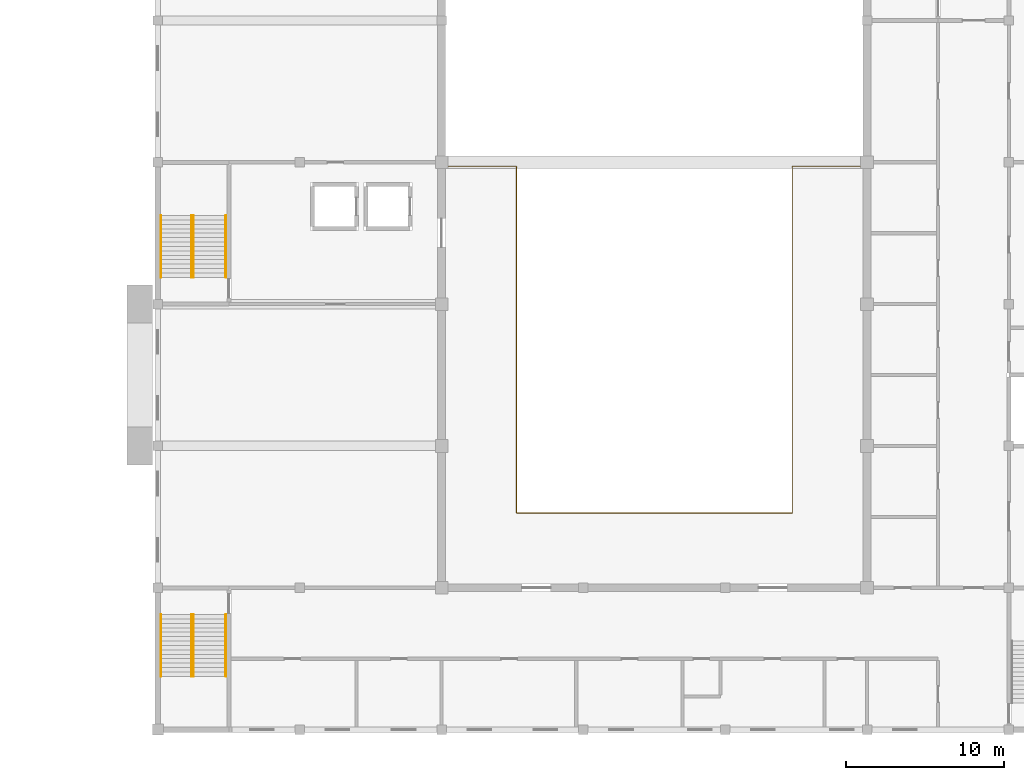
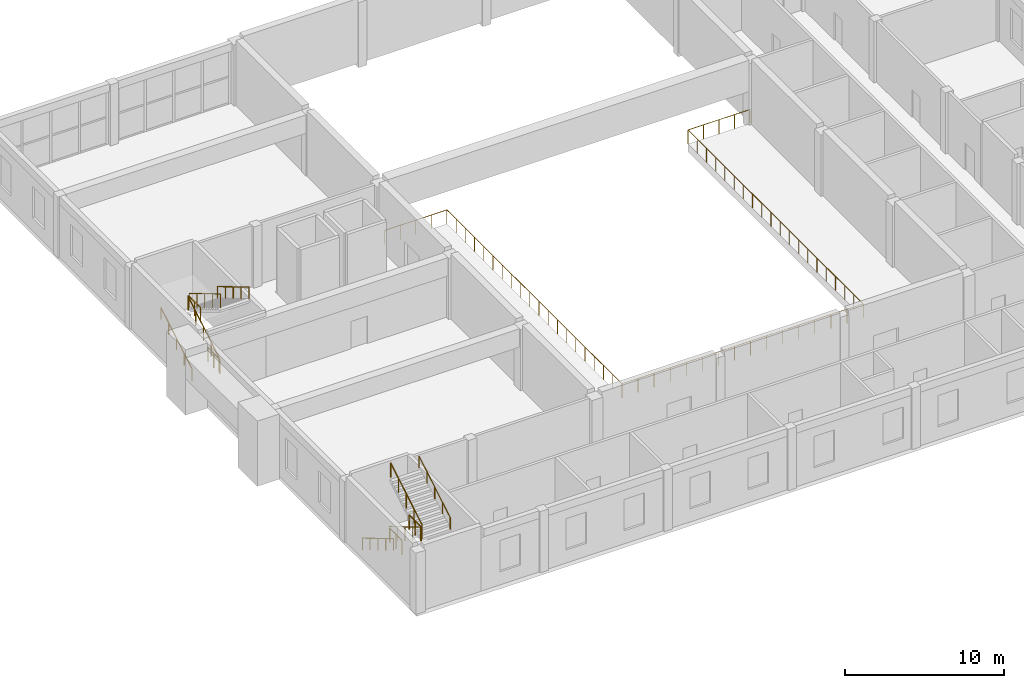
# One storey, part 31 of 34: 13 railings.
"""IFC4 building model written with IfcOpenShell, lengths in metres."""

from ifc_helpers import new_model, si_unit, direction, frame, origin, origin_2d, place, context, subcontext, project, spatial, circle, extrude, material, type_object, element, save


model = new_model("IFC4")

# Units and contexts
model_context = context("Model", 3, precision=1e-05, world=origin(), true_north=direction((0.0, 1.0)))
body_context = subcontext(model_context, "Body", "Model", "MODEL_VIEW")
ifc_project = project(units=[si_unit("LENGTHUNIT", "METRE"), si_unit("AREAUNIT", "SQUARE_METRE"), si_unit("VOLUMEUNIT", "CUBIC_METRE"), si_unit("PLANEANGLEUNIT", "RADIAN"), si_unit("MASSUNIT", "GRAM", prefix="KILO")], contexts=[model_context])

# Site, building, storey
site_placement = place(None, origin())
site = spatial("IfcSite", under=ifc_project, at=site_placement, CompositionType="ELEMENT")
building_placement = place(site_placement, origin())
building = spatial("IfcBuilding", under=site, at=building_placement, Name="Firuza Court", CompositionType="ELEMENT")
storey_placement = place(building_placement, frame((0.0, 0.0, 19.0)))
storey = spatial("IfcBuildingStorey", under=building, at=storey_placement, Name="L03", CompositionType="ELEMENT", Elevation=19.0)

# Railings
ifc_material_1 = material(Name="Steel S355", Category="steel")
railing_type_1 = type_object("IfcRailingType", Name="HALL HANDRAIL 900", PredefinedType="HANDRAIL", material=ifc_material_1)
railing_1_placement = place(storey_placement, frame((90.18994140625, -1.699951171875, 0.166748046875)))
element("IfcRailing", 1, at=railing_1_placement, inside=storey, type_object=railing_type_1, Name="Stair H1 flight 1 handrail L03", PredefinedType="HANDRAIL", context=body_context, shape_type="SweptSolid", body=[
    extrude(circle(Radius=0.02099609375, at=origin_2d()), frame((0.0, 0.0, 0.87890625), z_axis=(0.0, -0.859310244771, 0.511454693235), x_axis=(1.0, 0.0, 0.0)), (0.0, 0.0, 1.0), 4.56201171875),
    extrude(circle(Radius=0.02001953125, at=origin_2d()), origin(), (0.0, 0.0, 1.0), 0.85791015625),
    extrude(circle(Radius=0.02001953125, at=origin_2d()), frame((0.0, -0.97998046875, 0.583251953125)), (0.0, 0.0, 1.0), 0.85791015625),
    extrude(circle(Radius=0.02001953125, at=origin_2d()), frame((0.0, -1.9599609375, 1.16650390625)), (0.0, 0.0, 1.0), 0.85791015625),
    extrude(circle(Radius=0.02001953125, at=origin_2d()), frame((0.0, -2.940185546875, 1.75)), (0.0, 0.0, 1.0), 0.85791015625),
    extrude(circle(Radius=0.02001953125, at=origin_2d()), frame((0.0, -3.920166015625, 2.333251953125)), (0.0, 0.0, 1.0), 0.85791015625),
])
for number, where, name in (
    (2, (94.31005859375, -5.6201171875, 2.666748046875), "Stair H1 flight 2 handrail L03"),
    (3, (90.18994140625, 19.699951171875, 0.166748046875), "Stair H3 flight 1 handrail L03"),
):
    element("IfcRailing", number, at=place(storey_placement, frame(where)), inside=storey, type_object=railing_type_1, Name=name, PredefinedType="HANDRAIL", context=body_context, shape_type="SweptSolid", body=[
        extrude(circle(Radius=0.02099609375, at=origin_2d()), frame((0.0, 0.0, 0.87890625), z_axis=(0.0, 0.859310244771, 0.511454693235), x_axis=(-1.0, 0.0, 0.0)), (0.0, 0.0, 1.0), 4.56201171875),
        extrude(circle(Radius=0.02001953125, at=origin_2d()), origin(), (0.0, 0.0, 1.0), 0.85791015625),
        extrude(circle(Radius=0.02001953125, at=origin_2d()), frame((0.0, 0.97998046875, 0.583251953125)), (0.0, 0.0, 1.0), 0.85791015625),
        extrude(circle(Radius=0.02001953125, at=origin_2d()), frame((0.0, 1.9599609375, 1.16650390625)), (0.0, 0.0, 1.0), 0.85791015625),
        extrude(circle(Radius=0.02001953125, at=origin_2d()), frame((0.0, 2.940185546875, 1.75)), (0.0, 0.0, 1.0), 0.85791015625),
        extrude(circle(Radius=0.02001953125, at=origin_2d()), frame((0.0, 3.920166015625, 2.333251953125)), (0.0, 0.0, 1.0), 0.85791015625),
    ])
railing_2_placement = place(storey_placement, frame((94.31005859375, 23.6201171875, 2.666748046875)))
element("IfcRailing", 4, at=railing_2_placement, inside=storey, type_object=railing_type_1, Name="Stair H3 flight 2 handrail L03", PredefinedType="HANDRAIL", context=body_context, shape_type="SweptSolid", body=[
    extrude(circle(Radius=0.02099609375, at=origin_2d()), frame((0.0, 0.0, 0.87890625), z_axis=(0.0, -0.859310244771, 0.511454693235), x_axis=(1.0, 0.0, 0.0)), (0.0, 0.0, 1.0), 4.56201171875),
    extrude(circle(Radius=0.02001953125, at=origin_2d()), origin(), (0.0, 0.0, 1.0), 0.85791015625),
    extrude(circle(Radius=0.02001953125, at=origin_2d()), frame((0.0, -0.97998046875, 0.583251953125)), (0.0, 0.0, 1.0), 0.85791015625),
    extrude(circle(Radius=0.02001953125, at=origin_2d()), frame((0.0, -1.9599609375, 1.16650390625)), (0.0, 0.0, 1.0), 0.85791015625),
    extrude(circle(Radius=0.02001953125, at=origin_2d()), frame((0.0, -2.940185546875, 1.75)), (0.0, 0.0, 1.0), 0.85791015625),
    extrude(circle(Radius=0.02001953125, at=origin_2d()), frame((0.0, -3.920166015625, 2.333251953125)), (0.0, 0.0, 1.0), 0.85791015625),
])
ifc_material_2 = material(Name="Steel S355", Category="steel")
railing_type_2 = type_object("IfcRailingType", Name="HALL RAILING 1100", PredefinedType="GUARDRAIL", material=ifc_material_2)
railing_3_placement = place(storey_placement, frame((92.14990234375, -1.699951171875, 0.166748046875)))
element("IfcRailing", 5, at=railing_3_placement, inside=storey, type_object=railing_type_2, Name="Stair H1 flight 1 guard L03", PredefinedType="GUARDRAIL", context=body_context, shape_type="SweptSolid", body=[
    extrude(circle(Radius=0.02392578125, at=origin_2d()), frame((0.0, 0.0, 1.076171875), z_axis=(0.0, -0.859310244771, 0.511454693235), x_axis=(1.0, 0.0, 0.0)), (0.0, 0.0, 1.0), 4.56201171875),
    extrude(circle(Radius=0.02099609375, at=origin_2d()), origin(), (0.0, 0.0, 1.0), 1.052001953125),
    extrude(circle(Radius=0.02099609375, at=origin_2d()), frame((0.0, -0.97998046875, 0.583251953125)), (0.0, 0.0, 1.0), 1.052001953125),
    extrude(circle(Radius=0.02099609375, at=origin_2d()), frame((0.0, -1.9599609375, 1.16650390625)), (0.0, 0.0, 1.0), 1.052001953125),
    extrude(circle(Radius=0.02099609375, at=origin_2d()), frame((0.0, -2.940185546875, 1.75)), (0.0, 0.0, 1.0), 1.052001953125),
    extrude(circle(Radius=0.02099609375, at=origin_2d()), frame((0.0, -3.920166015625, 2.333251953125)), (0.0, 0.0, 1.0), 1.052001953125),
])
railing_4_placement = place(storey_placement, frame((92.25, -5.6201171875, 2.666748046875)))
element("IfcRailing", 6, at=railing_4_placement, inside=storey, type_object=railing_type_2, Name="Stair H1 flight 2 guard L03", PredefinedType="GUARDRAIL", context=body_context, shape_type="SweptSolid", body=[
    extrude(circle(Radius=0.02392578125, at=origin_2d()), frame((0.0, 0.0, 1.076171875), z_axis=(0.0, 0.859310244771, 0.511454693235), x_axis=(-1.0, 0.0, 0.0)), (0.0, 0.0, 1.0), 4.56201171875),
    extrude(circle(Radius=0.02099609375, at=origin_2d()), origin(), (0.0, 0.0, 1.0), 1.052001953125),
    extrude(circle(Radius=0.02099609375, at=origin_2d()), frame((0.0, 0.97998046875, 0.583251953125)), (0.0, 0.0, 1.0), 1.052001953125),
    extrude(circle(Radius=0.02099609375, at=origin_2d()), frame((0.0, 1.9599609375, 1.16650390625)), (0.0, 0.0, 1.0), 1.052001953125),
    extrude(circle(Radius=0.02099609375, at=origin_2d()), frame((0.0, 2.940185546875, 1.75)), (0.0, 0.0, 1.0), 1.052001953125),
    extrude(circle(Radius=0.02099609375, at=origin_2d()), frame((0.0, 3.920166015625, 2.333251953125)), (0.0, 0.0, 1.0), 1.052001953125),
])
railing_5_placement = place(storey_placement, frame((92.199951171875, -4.1201171875, 2.5)))
element("IfcRailing", 7, at=railing_5_placement, inside=storey, type_object=railing_type_2, Name="Stair H1 landing guard 1 L03", PredefinedType="GUARDRAIL", context=body_context, shape_type="SweptSolid", body=[
    extrude(circle(Radius=0.02392578125, at=origin_2d()), frame((0.0, 0.0, 1.076171875), z_axis=(0.0, -1.0, 0.0), x_axis=(1.0, 0.0, 0.0)), (0.0, 0.0, 1.0), 1.5),
    extrude(circle(Radius=0.02099609375, at=origin_2d()), origin(), (0.0, 0.0, 1.0), 1.052001953125),
    extrude(circle(Radius=0.02099609375, at=origin_2d()), frame((0.0, -0.75, 0.0)), (0.0, 0.0, 1.0), 1.052001953125),
    extrude(circle(Radius=0.02099609375, at=origin_2d()), frame((0.0, -1.5, 0.0)), (0.0, 0.0, 1.0), 1.052001953125),
])
railing_6_placement = place(storey_placement, frame((92.14990234375, 19.699951171875, 0.166748046875)))
element("IfcRailing", 8, at=railing_6_placement, inside=storey, type_object=railing_type_2, Name="Stair H3 flight 1 guard L03", PredefinedType="GUARDRAIL", context=body_context, shape_type="SweptSolid", body=[
    extrude(circle(Radius=0.02392578125, at=origin_2d()), frame((0.0, 0.0, 1.076171875), z_axis=(0.0, 0.859310244771, 0.511454693235), x_axis=(-1.0, 0.0, 0.0)), (0.0, 0.0, 1.0), 4.56201171875),
    extrude(circle(Radius=0.02099609375, at=origin_2d()), origin(), (0.0, 0.0, 1.0), 1.052001953125),
    extrude(circle(Radius=0.02099609375, at=origin_2d()), frame((0.0, 0.97998046875, 0.583251953125)), (0.0, 0.0, 1.0), 1.052001953125),
    extrude(circle(Radius=0.02099609375, at=origin_2d()), frame((0.0, 1.9599609375, 1.16650390625)), (0.0, 0.0, 1.0), 1.052001953125),
    extrude(circle(Radius=0.02099609375, at=origin_2d()), frame((0.0, 2.940185546875, 1.75)), (0.0, 0.0, 1.0), 1.052001953125),
    extrude(circle(Radius=0.02099609375, at=origin_2d()), frame((0.0, 3.920166015625, 2.333251953125)), (0.0, 0.0, 1.0), 1.052001953125),
])
railing_7_placement = place(storey_placement, frame((92.25, 23.6201171875, 2.666748046875)))
element("IfcRailing", 9, at=railing_7_placement, inside=storey, type_object=railing_type_2, Name="Stair H3 flight 2 guard L03", PredefinedType="GUARDRAIL", context=body_context, shape_type="SweptSolid", body=[
    extrude(circle(Radius=0.02392578125, at=origin_2d()), frame((0.0, 0.0, 1.076171875), z_axis=(0.0, -0.859310244771, 0.511454693235), x_axis=(1.0, 0.0, 0.0)), (0.0, 0.0, 1.0), 4.56201171875),
    extrude(circle(Radius=0.02099609375, at=origin_2d()), origin(), (0.0, 0.0, 1.0), 1.052001953125),
    extrude(circle(Radius=0.02099609375, at=origin_2d()), frame((0.0, -0.97998046875, 0.583251953125)), (0.0, 0.0, 1.0), 1.052001953125),
    extrude(circle(Radius=0.02099609375, at=origin_2d()), frame((0.0, -1.9599609375, 1.16650390625)), (0.0, 0.0, 1.0), 1.052001953125),
    extrude(circle(Radius=0.02099609375, at=origin_2d()), frame((0.0, -2.940185546875, 1.75)), (0.0, 0.0, 1.0), 1.052001953125),
    extrude(circle(Radius=0.02099609375, at=origin_2d()), frame((0.0, -3.920166015625, 2.333251953125)), (0.0, 0.0, 1.0), 1.052001953125),
])
railing_8_placement = place(storey_placement, frame((92.199951171875, 22.1201171875, 2.5)))
element("IfcRailing", 10, at=railing_8_placement, inside=storey, type_object=railing_type_2, Name="Stair H3 landing guard 1 L03", PredefinedType="GUARDRAIL", context=body_context, shape_type="SweptSolid", body=[
    extrude(circle(Radius=0.02392578125, at=origin_2d()), frame((0.0, 0.0, 1.076171875), z_axis=(0.0, 1.0, 0.0), x_axis=(-1.0, 0.0, 0.0)), (0.0, 0.0, 1.0), 1.5),
    extrude(circle(Radius=0.02099609375, at=origin_2d()), origin(), (0.0, 0.0, 1.0), 1.052001953125),
    extrude(circle(Radius=0.02099609375, at=origin_2d()), frame((0.0, 0.75, 0.0)), (0.0, 0.0, 1.0), 1.052001953125),
    extrude(circle(Radius=0.02099609375, at=origin_2d()), frame((0.0, 1.5, 0.0)), (0.0, 0.0, 1.0), 1.052001953125),
])
railing_9_placement = place(storey_placement, frame((92.199951171875, -1.699951171875, 0.0)))
element("IfcRailing", 11, at=railing_9_placement, inside=storey, type_object=railing_type_2, Name="Stair H1 floor guard L03", PredefinedType="GUARDRAIL", context=body_context, shape_type="SweptSolid", body=[
    extrude(circle(Radius=0.02392578125, at=origin_2d()), frame((0.0, 0.0, 1.076171875), z_axis=(0.0, -1.0, 0.0), x_axis=(1.0, 0.0, 0.0)), (0.0, 0.0, 1.0), 1.5),
    extrude(circle(Radius=0.02099609375, at=origin_2d()), origin(), (0.0, 0.0, 1.0), 1.052001953125),
    extrude(circle(Radius=0.02099609375, at=origin_2d()), frame((0.0, -0.75, 0.0)), (0.0, 0.0, 1.0), 1.052001953125),
    extrude(circle(Radius=0.02099609375, at=origin_2d()), frame((0.0, -1.5, 0.0)), (0.0, 0.0, 1.0), 1.052001953125),
])
railing_10_placement = place(storey_placement, frame((92.199951171875, 19.699951171875, 0.0)))
element("IfcRailing", 12, at=railing_10_placement, inside=storey, type_object=railing_type_2, Name="Stair H3 floor guard L03", PredefinedType="GUARDRAIL", context=body_context, shape_type="SweptSolid", body=[
    extrude(circle(Radius=0.02392578125, at=origin_2d()), frame((0.0, 0.0, 1.076171875), z_axis=(0.0, 1.0, 0.0), x_axis=(-1.0, 0.0, 0.0)), (0.0, 0.0, 1.0), 1.5),
    extrude(circle(Radius=0.02099609375, at=origin_2d()), origin(), (0.0, 0.0, 1.0), 1.052001953125),
    extrude(circle(Radius=0.02099609375, at=origin_2d()), frame((0.0, 0.75, 0.0)), (0.0, 0.0, 1.0), 1.052001953125),
    extrude(circle(Radius=0.02099609375, at=origin_2d()), frame((0.0, 1.5, 0.0)), (0.0, 0.0, 1.0), 1.052001953125),
])
railing_11_placement = place(storey_placement, frame((108.25, 26.75, 0.0)))
element("IfcRailing", 13, at=railing_11_placement, inside=storey, type_object=railing_type_2, Name="Balcony guard L03", PredefinedType="GUARDRAIL", context=body_context, shape_type="SweptSolid", body=[
    extrude(circle(Radius=0.02392578125, at=origin_2d()), frame((0.0, 0.0, 1.076171875), z_axis=(1.0, 0.0, 0.0), x_axis=(0.0, 1.0, 0.0)), (0.0, 0.0, 1.0), 4.5),
    extrude(circle(Radius=0.02392578125, at=origin_2d()), frame((4.5, 0.0, 1.076171875), z_axis=(0.0, -1.0, 0.0), x_axis=(1.0, 0.0, 0.0)), (0.0, 0.0, 1.0), 22.0),
    extrude(circle(Radius=0.02392578125, at=origin_2d()), frame((4.5, -22.0, 1.076171875), z_axis=(1.0, 0.0, 0.0), x_axis=(0.0, 1.0, 0.0)), (0.0, 0.0, 1.0), 17.5),
    extrude(circle(Radius=0.02392578125, at=origin_2d()), frame((22.0, -22.0, 1.076171875), z_axis=(0.0, 1.0, 0.0), x_axis=(-1.0, 0.0, 0.0)), (0.0, 0.0, 1.0), 22.0),
    extrude(circle(Radius=0.02392578125, at=origin_2d()), frame((22.0, 0.0, 1.076171875), z_axis=(1.0, 0.0, 0.0), x_axis=(0.0, 1.0, 0.0)), (0.0, 0.0, 1.0), 4.5),
    extrude(circle(Radius=0.02099609375, at=origin_2d()), origin(), (0.0, 0.0, 1.0), 1.052001953125),
    extrude(circle(Radius=0.02099609375, at=origin_2d()), frame((1.125, 0.0, 0.0)), (0.0, 0.0, 1.0), 1.052001953125),
    extrude(circle(Radius=0.02099609375, at=origin_2d()), frame((2.25, 0.0, 0.0)), (0.0, 0.0, 1.0), 1.052001953125),
    extrude(circle(Radius=0.02099609375, at=origin_2d()), frame((3.375, 0.0, 0.0)), (0.0, 0.0, 1.0), 1.052001953125),
    extrude(circle(Radius=0.02099609375, at=origin_2d()), frame((4.5, 0.0, 0.0)), (0.0, 0.0, 1.0), 1.052001953125),
    extrude(circle(Radius=0.02099609375, at=origin_2d()), frame((4.5, -1.157958984375, 0.0)), (0.0, 0.0, 1.0), 1.052001953125),
    extrude(circle(Radius=0.02099609375, at=origin_2d()), frame((4.5, -2.315673828125, 0.0)), (0.0, 0.0, 1.0), 1.052001953125),
    extrude(circle(Radius=0.02099609375, at=origin_2d()), frame((4.5, -3.4736328125, 0.0)), (0.0, 0.0, 1.0), 1.052001953125),
    extrude(circle(Radius=0.02099609375, at=origin_2d()), frame((4.5, -4.631591796875, 0.0)), (0.0, 0.0, 1.0), 1.052001953125),
    extrude(circle(Radius=0.02099609375, at=origin_2d()), frame((4.5, -5.78955078125, 0.0)), (0.0, 0.0, 1.0), 1.052001953125),
    extrude(circle(Radius=0.02099609375, at=origin_2d()), frame((4.5, -6.947265625, 0.0)), (0.0, 0.0, 1.0), 1.052001953125),
    extrude(circle(Radius=0.02099609375, at=origin_2d()), frame((4.5, -8.105224609375, 0.0)), (0.0, 0.0, 1.0), 1.052001953125),
    extrude(circle(Radius=0.02099609375, at=origin_2d()), frame((4.5, -9.26318359375, 0.0)), (0.0, 0.0, 1.0), 1.052001953125),
    extrude(circle(Radius=0.02099609375, at=origin_2d()), frame((4.5, -10.421142578125, 0.0)), (0.0, 0.0, 1.0), 1.052001953125),
    extrude(circle(Radius=0.02099609375, at=origin_2d()), frame((4.5, -11.578857421875, 0.0)), (0.0, 0.0, 1.0), 1.052001953125),
    extrude(circle(Radius=0.02099609375, at=origin_2d()), frame((4.5, -12.73681640625, 0.0)), (0.0, 0.0, 1.0), 1.052001953125),
    extrude(circle(Radius=0.02099609375, at=origin_2d()), frame((4.5, -13.894775390625, 0.0)), (0.0, 0.0, 1.0), 1.052001953125),
    extrude(circle(Radius=0.02099609375, at=origin_2d()), frame((4.5, -15.052734375, 0.0)), (0.0, 0.0, 1.0), 1.052001953125),
    extrude(circle(Radius=0.02099609375, at=origin_2d()), frame((4.5, -16.21044921875, 0.0)), (0.0, 0.0, 1.0), 1.052001953125),
    extrude(circle(Radius=0.02099609375, at=origin_2d()), frame((4.5, -17.368408203125, 0.0)), (0.0, 0.0, 1.0), 1.052001953125),
    extrude(circle(Radius=0.02099609375, at=origin_2d()), frame((4.5, -18.5263671875, 0.0)), (0.0, 0.0, 1.0), 1.052001953125),
    extrude(circle(Radius=0.02099609375, at=origin_2d()), frame((4.5, -19.684326171875, 0.0)), (0.0, 0.0, 1.0), 1.052001953125),
    extrude(circle(Radius=0.02099609375, at=origin_2d()), frame((4.5, -20.842041015625, 0.0)), (0.0, 0.0, 1.0), 1.052001953125),
    extrude(circle(Radius=0.02099609375, at=origin_2d()), frame((4.5, -22.0, 0.0)), (0.0, 0.0, 1.0), 1.052001953125),
    extrude(circle(Radius=0.02099609375, at=origin_2d()), frame((5.666748046875, -22.0, 0.0)), (0.0, 0.0, 1.0), 1.052001953125),
    extrude(circle(Radius=0.02099609375, at=origin_2d()), frame((6.833251953125, -22.0, 0.0)), (0.0, 0.0, 1.0), 1.052001953125),
    extrude(circle(Radius=0.02099609375, at=origin_2d()), frame((8.0, -22.0, 0.0)), (0.0, 0.0, 1.0), 1.052001953125),
    extrude(circle(Radius=0.02099609375, at=origin_2d()), frame((9.166748046875, -22.0, 0.0)), (0.0, 0.0, 1.0), 1.052001953125),
    extrude(circle(Radius=0.02099609375, at=origin_2d()), frame((10.333251953125, -22.0, 0.0)), (0.0, 0.0, 1.0), 1.052001953125),
    extrude(circle(Radius=0.02099609375, at=origin_2d()), frame((11.5, -22.0, 0.0)), (0.0, 0.0, 1.0), 1.052001953125),
    extrude(circle(Radius=0.02099609375, at=origin_2d()), frame((12.666748046875, -22.0, 0.0)), (0.0, 0.0, 1.0), 1.052001953125),
    extrude(circle(Radius=0.02099609375, at=origin_2d()), frame((13.833251953125, -22.0, 0.0)), (0.0, 0.0, 1.0), 1.052001953125),
    extrude(circle(Radius=0.02099609375, at=origin_2d()), frame((15.0, -22.0, 0.0)), (0.0, 0.0, 1.0), 1.052001953125),
    extrude(circle(Radius=0.02099609375, at=origin_2d()), frame((16.166748046875, -22.0, 0.0)), (0.0, 0.0, 1.0), 1.052001953125),
    extrude(circle(Radius=0.02099609375, at=origin_2d()), frame((17.333251953125, -22.0, 0.0)), (0.0, 0.0, 1.0), 1.052001953125),
    extrude(circle(Radius=0.02099609375, at=origin_2d()), frame((18.5, -22.0, 0.0)), (0.0, 0.0, 1.0), 1.052001953125),
    extrude(circle(Radius=0.02099609375, at=origin_2d()), frame((19.666748046875, -22.0, 0.0)), (0.0, 0.0, 1.0), 1.052001953125),
    extrude(circle(Radius=0.02099609375, at=origin_2d()), frame((20.833251953125, -22.0, 0.0)), (0.0, 0.0, 1.0), 1.052001953125),
    extrude(circle(Radius=0.02099609375, at=origin_2d()), frame((22.0, -22.0, 0.0)), (0.0, 0.0, 1.0), 1.052001953125),
    extrude(circle(Radius=0.02099609375, at=origin_2d()), frame((22.0, -20.842041015625, 0.0)), (0.0, 0.0, 1.0), 1.052001953125),
    extrude(circle(Radius=0.02099609375, at=origin_2d()), frame((22.0, -19.684326171875, 0.0)), (0.0, 0.0, 1.0), 1.052001953125),
    extrude(circle(Radius=0.02099609375, at=origin_2d()), frame((22.0, -18.5263671875, 0.0)), (0.0, 0.0, 1.0), 1.052001953125),
    extrude(circle(Radius=0.02099609375, at=origin_2d()), frame((22.0, -17.368408203125, 0.0)), (0.0, 0.0, 1.0), 1.052001953125),
    extrude(circle(Radius=0.02099609375, at=origin_2d()), frame((22.0, -16.21044921875, 0.0)), (0.0, 0.0, 1.0), 1.052001953125),
    extrude(circle(Radius=0.02099609375, at=origin_2d()), frame((22.0, -15.052734375, 0.0)), (0.0, 0.0, 1.0), 1.052001953125),
    extrude(circle(Radius=0.02099609375, at=origin_2d()), frame((22.0, -13.894775390625, 0.0)), (0.0, 0.0, 1.0), 1.052001953125),
    extrude(circle(Radius=0.02099609375, at=origin_2d()), frame((22.0, -12.73681640625, 0.0)), (0.0, 0.0, 1.0), 1.052001953125),
    extrude(circle(Radius=0.02099609375, at=origin_2d()), frame((22.0, -11.578857421875, 0.0)), (0.0, 0.0, 1.0), 1.052001953125),
    extrude(circle(Radius=0.02099609375, at=origin_2d()), frame((22.0, -10.421142578125, 0.0)), (0.0, 0.0, 1.0), 1.052001953125),
    extrude(circle(Radius=0.02099609375, at=origin_2d()), frame((22.0, -9.26318359375, 0.0)), (0.0, 0.0, 1.0), 1.052001953125),
    extrude(circle(Radius=0.02099609375, at=origin_2d()), frame((22.0, -8.105224609375, 0.0)), (0.0, 0.0, 1.0), 1.052001953125),
    extrude(circle(Radius=0.02099609375, at=origin_2d()), frame((22.0, -6.947265625, 0.0)), (0.0, 0.0, 1.0), 1.052001953125),
    extrude(circle(Radius=0.02099609375, at=origin_2d()), frame((22.0, -5.78955078125, 0.0)), (0.0, 0.0, 1.0), 1.052001953125),
    extrude(circle(Radius=0.02099609375, at=origin_2d()), frame((22.0, -4.631591796875, 0.0)), (0.0, 0.0, 1.0), 1.052001953125),
    extrude(circle(Radius=0.02099609375, at=origin_2d()), frame((22.0, -3.4736328125, 0.0)), (0.0, 0.0, 1.0), 1.052001953125),
    extrude(circle(Radius=0.02099609375, at=origin_2d()), frame((22.0, -2.315673828125, 0.0)), (0.0, 0.0, 1.0), 1.052001953125),
    extrude(circle(Radius=0.02099609375, at=origin_2d()), frame((22.0, -1.157958984375, 0.0)), (0.0, 0.0, 1.0), 1.052001953125),
    extrude(circle(Radius=0.02099609375, at=origin_2d()), frame((22.0, 0.0, 0.0)), (0.0, 0.0, 1.0), 1.052001953125),
    extrude(circle(Radius=0.02099609375, at=origin_2d()), frame((23.125, 0.0, 0.0)), (0.0, 0.0, 1.0), 1.052001953125),
    extrude(circle(Radius=0.02099609375, at=origin_2d()), frame((24.25, 0.0, 0.0)), (0.0, 0.0, 1.0), 1.052001953125),
    extrude(circle(Radius=0.02099609375, at=origin_2d()), frame((25.375, 0.0, 0.0)), (0.0, 0.0, 1.0), 1.052001953125),
    extrude(circle(Radius=0.02099609375, at=origin_2d()), frame((26.5, 0.0, 0.0)), (0.0, 0.0, 1.0), 1.052001953125),
])

save(model, "model.ifc")
